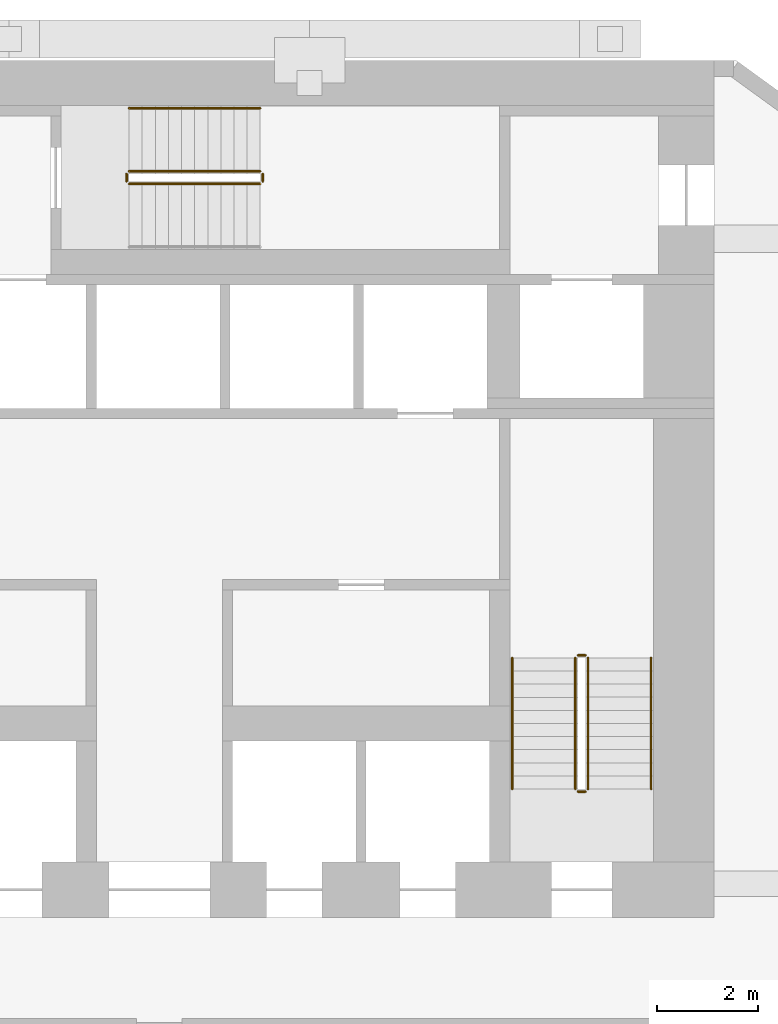
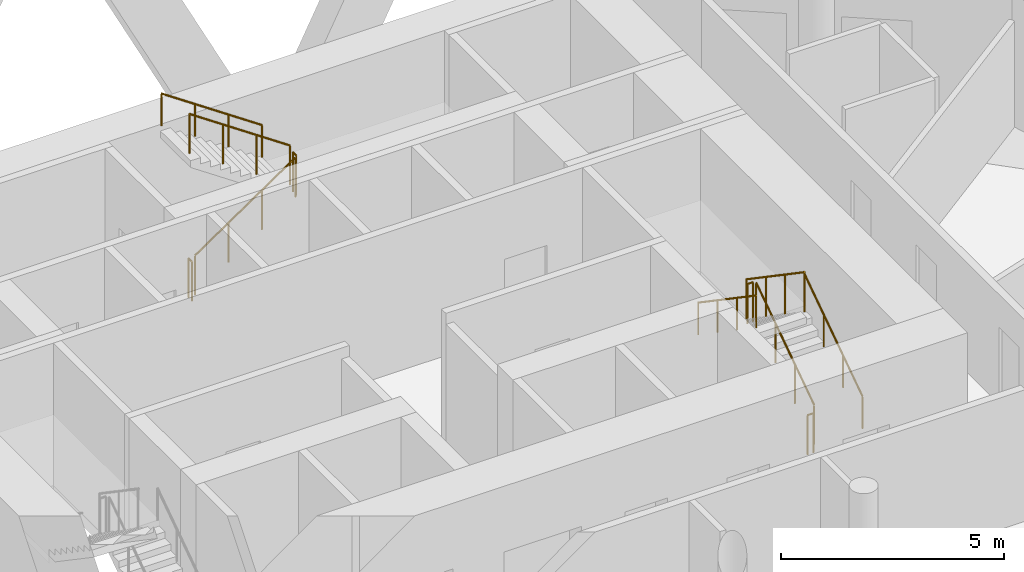
# One storey, part 10 of 10: 11 railings.
"""IFC4 building model written with IfcOpenShell, lengths in metres."""

from ifc_helpers import new_model, si_unit, direction, frame, origin, origin_2d, place, context, subcontext, project, spatial, circle, extrude, material, type_object, element, save


model = new_model("IFC4")

# Units and contexts
model_context = context("Model", 3, precision=1e-05, world=origin(), true_north=direction((0.0, 1.0)))
body_context = subcontext(model_context, "Body", "Model", "MODEL_VIEW")
ifc_project = project(units=[si_unit("LENGTHUNIT", "METRE"), si_unit("AREAUNIT", "SQUARE_METRE"), si_unit("VOLUMEUNIT", "CUBIC_METRE"), si_unit("PLANEANGLEUNIT", "RADIAN"), si_unit("MASSUNIT", "GRAM", prefix="KILO")], contexts=[model_context])

# Site, building, storey
site_placement = place(None, origin())
site = spatial("IfcSite", under=ifc_project, at=site_placement, CompositionType="ELEMENT")
building_placement = place(site_placement, origin())
building = spatial("IfcBuilding", under=site, at=building_placement, Name="White Candle Pilgrim Tower", CompositionType="ELEMENT")
storey_placement = place(building_placement, frame((0.0, 0.0, 102.5)))
storey = spatial("IfcBuildingStorey", under=building, at=storey_placement, Name="L22", CompositionType="ELEMENT", Elevation=102.5)

# Railings
ifc_material = material(Name="Stainless steel", Category="steel")
railing_type_1 = type_object("IfcRailingType", Name="Stair guard stainless steel 1100 mm", PredefinedType="GUARDRAIL", material=ifc_material)
railing_1_placement = place(storey_placement, frame((78.5, 73.550048828125, 0.17724609375)))
element("IfcRailing", 1, at=railing_1_placement, inside=storey, type_object=railing_type_1, Name="L22 ST2 stair guard 1", PredefinedType="GUARDRAIL", context=body_context, shape_type="SweptSolid", body=[
    extrude(circle(Radius=0.02392578125, at=origin_2d()), frame((0.0, 0.0, 1.076171875), z_axis=(0.0, 0.826215852431, 0.563353676824), x_axis=(-1.0, 0.0, 0.0)), (0.0, 0.0, 1.0), 3.146728515625),
    extrude(circle(Radius=0.02099609375, at=origin_2d()), origin(), (0.0, 0.0, 1.0), 1.052001953125),
    extrude(circle(Radius=0.02099609375, at=origin_2d()), frame((0.0, 0.86669921875, 0.5908203125)), (0.0, 0.0, 1.0), 1.052001953125),
    extrude(circle(Radius=0.02099609375, at=origin_2d()), frame((0.0, 1.733154296875, 1.181884765625)), (0.0, 0.0, 1.0), 1.052001953125),
    extrude(circle(Radius=0.02099609375, at=origin_2d()), frame((0.0, 2.599853515625, 1.772705078125)), (0.0, 0.0, 1.0), 1.052001953125),
])
railing_2_placement = place(storey_placement, frame((78.449951171875, 76.199951171875, 1.949951171875)))
element("IfcRailing", 2, at=railing_2_placement, inside=storey, type_object=railing_type_1, Name="L22 ST2 stair guard 2", PredefinedType="GUARDRAIL", context=body_context, shape_type="SweptSolid", body=[
    extrude(circle(Radius=0.02392578125, at=origin_2d()), frame((0.0, 0.0, 1.076171875), z_axis=(-1.0, 0.0, 0.0), x_axis=(0.0, -1.0, 0.0)), (0.0, 0.0, 1.0), 0.14990234375),
    extrude(circle(Radius=0.02099609375, at=origin_2d()), origin(), (0.0, 0.0, 1.0), 1.052001953125),
    extrude(circle(Radius=0.02099609375, at=origin_2d()), frame((-0.14990234375, 0.0, 0.0)), (0.0, 0.0, 1.0), 1.052001953125),
])
railing_3_placement = place(storey_placement, frame((78.25, 76.14990234375, 2.127197265625)))
element("IfcRailing", 3, at=railing_3_placement, inside=storey, type_object=railing_type_1, Name="L22 ST2 stair guard 3", PredefinedType="GUARDRAIL", context=body_context, shape_type="SweptSolid", body=[
    extrude(circle(Radius=0.02392578125, at=origin_2d()), frame((0.0, 0.0, 1.076171875), z_axis=(0.0, -0.826215852431, 0.563353676824), x_axis=(1.0, 0.0, 0.0)), (0.0, 0.0, 1.0), 3.146728515625),
    extrude(circle(Radius=0.02099609375, at=origin_2d()), origin(), (0.0, 0.0, 1.0), 1.052001953125),
    extrude(circle(Radius=0.02099609375, at=origin_2d()), frame((0.0, -0.86669921875, 0.5908203125)), (0.0, 0.0, 1.0), 1.052001953125),
    extrude(circle(Radius=0.02099609375, at=origin_2d()), frame((0.0, -1.733154296875, 1.181884765625)), (0.0, 0.0, 1.0), 1.052001953125),
    extrude(circle(Radius=0.02099609375, at=origin_2d()), frame((0.0, -2.599853515625, 1.772705078125)), (0.0, 0.0, 1.0), 1.052001953125),
])
railing_4_placement = place(storey_placement, frame((78.449951171875, 73.5, 0.0)))
element("IfcRailing", 4, at=railing_4_placement, inside=storey, type_object=railing_type_1, Name="L22 ST2 stair guard 4", PredefinedType="GUARDRAIL", context=body_context, shape_type="SweptSolid", body=[
    extrude(circle(Radius=0.02392578125, at=origin_2d()), frame((0.0, 0.0, 1.076171875), z_axis=(-1.0, 0.0, 0.0), x_axis=(0.0, -1.0, 0.0)), (0.0, 0.0, 1.0), 0.14990234375),
    extrude(circle(Radius=0.02099609375, at=origin_2d()), origin(), (0.0, 0.0, 1.0), 1.052001953125),
    extrude(circle(Radius=0.02099609375, at=origin_2d()), frame((-0.14990234375, 0.0, 0.0)), (0.0, 0.0, 1.0), 1.052001953125),
])
railing_5_placement = place(storey_placement, frame((69.39990234375, 85.550048828125, 0.17724609375)))
element("IfcRailing", 5, at=railing_5_placement, inside=storey, type_object=railing_type_1, Name="L22 ST3 stair guard 1", PredefinedType="GUARDRAIL", context=body_context, shape_type="SweptSolid", body=[
    extrude(circle(Radius=0.02392578125, at=origin_2d()), frame((0.0, 0.0, 1.076171875), z_axis=(0.826240473404, 0.0, 0.563317565952), x_axis=(0.0, 1.0, 0.0)), (0.0, 0.0, 1.0), 3.14697265625),
    extrude(circle(Radius=0.02099609375, at=origin_2d()), origin(), (0.0, 0.0, 1.0), 1.052001953125),
    extrude(circle(Radius=0.02099609375, at=origin_2d()), frame((0.86669921875, 0.0, 0.5908203125)), (0.0, 0.0, 1.0), 1.052001953125),
    extrude(circle(Radius=0.02099609375, at=origin_2d()), frame((1.7333984375, 0.0, 1.181884765625)), (0.0, 0.0, 1.0), 1.052001953125),
    extrude(circle(Radius=0.02099609375, at=origin_2d()), frame((2.60009765625, 0.0, 1.772705078125)), (0.0, 0.0, 1.0), 1.052001953125),
])
railing_6_placement = place(storey_placement, frame((72.050048828125, 85.60009765625, 1.949951171875)))
element("IfcRailing", 6, at=railing_6_placement, inside=storey, type_object=railing_type_1, Name="L22 ST3 stair guard 2", PredefinedType="GUARDRAIL", context=body_context, shape_type="SweptSolid", body=[
    extrude(circle(Radius=0.02392578125, at=origin_2d()), frame((0.0, 0.0, 1.076171875), z_axis=(0.0, 1.0, 0.0), x_axis=(-1.0, 0.0, 0.0)), (0.0, 0.0, 1.0), 0.14990234375),
    extrude(circle(Radius=0.02099609375, at=origin_2d()), origin(), (0.0, 0.0, 1.0), 1.052001953125),
    extrude(circle(Radius=0.02099609375, at=origin_2d()), frame((0.0, 0.14990234375, 0.0)), (0.0, 0.0, 1.0), 1.052001953125),
])
railing_7_placement = place(storey_placement, frame((72.0, 85.800048828125, 2.127197265625)))
element("IfcRailing", 7, at=railing_7_placement, inside=storey, type_object=railing_type_1, Name="L22 ST3 stair guard 3", PredefinedType="GUARDRAIL", context=body_context, shape_type="SweptSolid", body=[
    extrude(circle(Radius=0.02392578125, at=origin_2d()), frame((0.0, 0.0, 1.076171875), z_axis=(-0.826240473404, 0.0, 0.563317565952), x_axis=(0.0, -1.0, 0.0)), (0.0, 0.0, 1.0), 3.14697265625),
    extrude(circle(Radius=0.02099609375, at=origin_2d()), origin(), (0.0, 0.0, 1.0), 1.052001953125),
    extrude(circle(Radius=0.02099609375, at=origin_2d()), frame((-0.86669921875, 0.0, 0.5908203125)), (0.0, 0.0, 1.0), 1.052001953125),
    extrude(circle(Radius=0.02099609375, at=origin_2d()), frame((-1.7333984375, 0.0, 1.181884765625)), (0.0, 0.0, 1.0), 1.052001953125),
    extrude(circle(Radius=0.02099609375, at=origin_2d()), frame((-2.60009765625, 0.0, 1.772705078125)), (0.0, 0.0, 1.0), 1.052001953125),
])
railing_8_placement = place(storey_placement, frame((69.35009765625, 85.60009765625, 0.0)))
element("IfcRailing", 8, at=railing_8_placement, inside=storey, type_object=railing_type_1, Name="L22 ST3 stair guard 4", PredefinedType="GUARDRAIL", context=body_context, shape_type="SweptSolid", body=[
    extrude(circle(Radius=0.02392578125, at=origin_2d()), frame((0.0, 0.0, 1.076171875), z_axis=(0.0, 1.0, 0.0), x_axis=(-1.0, 0.0, 0.0)), (0.0, 0.0, 1.0), 0.14990234375),
    extrude(circle(Radius=0.02099609375, at=origin_2d()), origin(), (0.0, 0.0, 1.0), 1.052001953125),
    extrude(circle(Radius=0.02099609375, at=origin_2d()), frame((0.0, 0.14990234375, 0.0)), (0.0, 0.0, 1.0), 1.052001953125),
])
railing_type_2 = type_object("IfcRailingType", Name="Stair handrail stainless steel", PredefinedType="HANDRAIL", material=ifc_material)
railing_9_placement = place(storey_placement, frame((79.75, 73.550048828125, 0.17724609375)))
element("IfcRailing", 9, at=railing_9_placement, inside=storey, type_object=railing_type_2, Name="L22 ST2 stair handrail 1", PredefinedType="HANDRAIL", context=body_context, shape_type="SweptSolid", body=[
    extrude(circle(Radius=0.02392578125, at=origin_2d()), frame((0.0, 0.0, 0.8759765625), z_axis=(0.0, 0.826215852431, 0.563353676824), x_axis=(-1.0, 0.0, 0.0)), (0.0, 0.0, 1.0), 3.146728515625),
    extrude(circle(Radius=0.02099609375, at=origin_2d()), origin(), (0.0, 0.0, 1.0), 0.851806640625),
    extrude(circle(Radius=0.02099609375, at=origin_2d()), frame((0.0, 0.86669921875, 0.5908203125)), (0.0, 0.0, 1.0), 0.851806640625),
    extrude(circle(Radius=0.02099609375, at=origin_2d()), frame((0.0, 1.733154296875, 1.181884765625)), (0.0, 0.0, 1.0), 0.851806640625),
    extrude(circle(Radius=0.02099609375, at=origin_2d()), frame((0.0, 2.599853515625, 1.772705078125)), (0.0, 0.0, 1.0), 0.851806640625),
])
railing_10_placement = place(storey_placement, frame((77.0, 76.14990234375, 2.127197265625)))
element("IfcRailing", 10, at=railing_10_placement, inside=storey, type_object=railing_type_2, Name="L22 ST2 stair handrail 2", PredefinedType="HANDRAIL", context=body_context, shape_type="SweptSolid", body=[
    extrude(circle(Radius=0.02392578125, at=origin_2d()), frame((0.0, 0.0, 0.8759765625), z_axis=(0.0, -0.826215852431, 0.563353676824), x_axis=(1.0, 0.0, 0.0)), (0.0, 0.0, 1.0), 3.146728515625),
    extrude(circle(Radius=0.02099609375, at=origin_2d()), origin(), (0.0, 0.0, 1.0), 0.851806640625),
    extrude(circle(Radius=0.02099609375, at=origin_2d()), frame((0.0, -0.86669921875, 0.5908203125)), (0.0, 0.0, 1.0), 0.851806640625),
    extrude(circle(Radius=0.02099609375, at=origin_2d()), frame((0.0, -1.733154296875, 1.181884765625)), (0.0, 0.0, 1.0), 0.851806640625),
    extrude(circle(Radius=0.02099609375, at=origin_2d()), frame((0.0, -2.599853515625, 1.772705078125)), (0.0, 0.0, 1.0), 0.851806640625),
])
railing_11_placement = place(storey_placement, frame((72.0, 87.050048828125, 2.127197265625)))
element("IfcRailing", 11, at=railing_11_placement, inside=storey, type_object=railing_type_2, Name="L22 ST3 stair handrail 2", PredefinedType="HANDRAIL", context=body_context, shape_type="SweptSolid", body=[
    extrude(circle(Radius=0.02392578125, at=origin_2d()), frame((0.0, 0.0, 0.8759765625), z_axis=(-0.826240473404, 0.0, 0.563317565952), x_axis=(0.0, -1.0, 0.0)), (0.0, 0.0, 1.0), 3.14697265625),
    extrude(circle(Radius=0.02099609375, at=origin_2d()), origin(), (0.0, 0.0, 1.0), 0.851806640625),
    extrude(circle(Radius=0.02099609375, at=origin_2d()), frame((-0.86669921875, 0.0, 0.5908203125)), (0.0, 0.0, 1.0), 0.851806640625),
    extrude(circle(Radius=0.02099609375, at=origin_2d()), frame((-1.7333984375, 0.0, 1.181884765625)), (0.0, 0.0, 1.0), 0.851806640625),
    extrude(circle(Radius=0.02099609375, at=origin_2d()), frame((-2.60009765625, 0.0, 1.772705078125)), (0.0, 0.0, 1.0), 0.851806640625),
])

save(model, "model.ifc")
